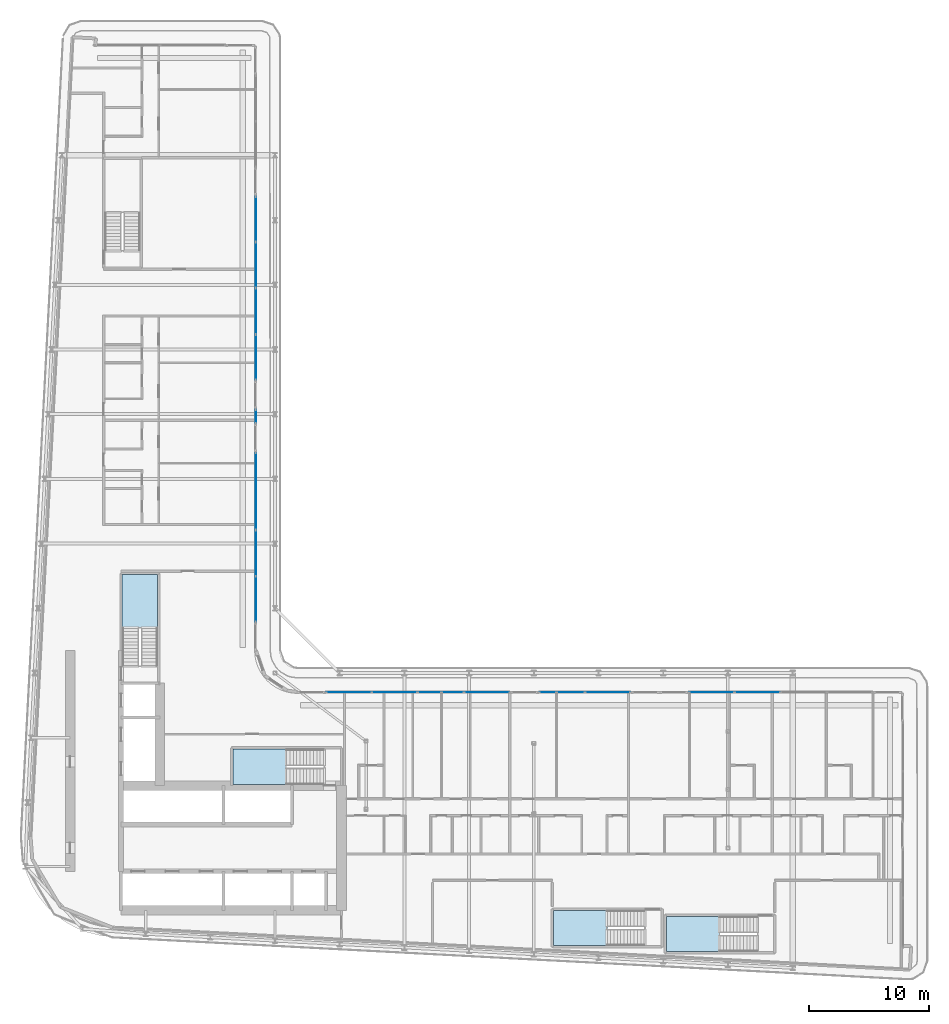
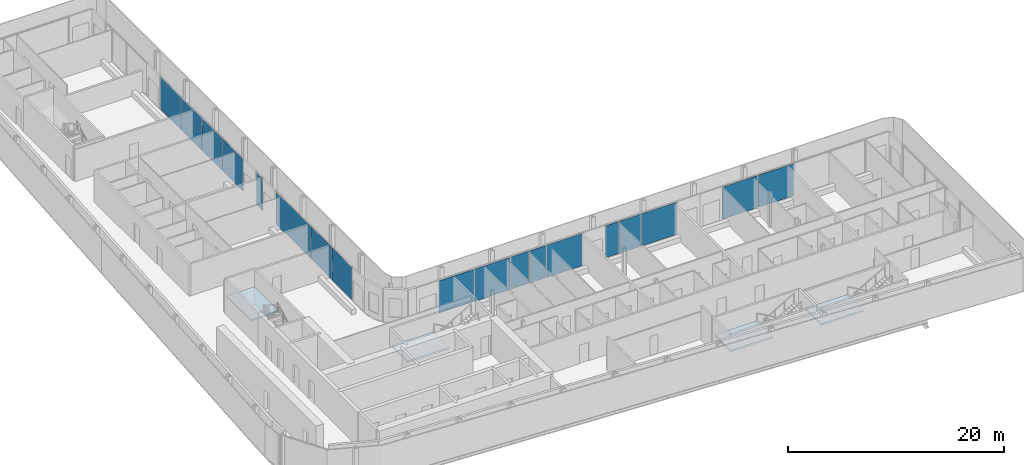
# One storey, part 12 of 30: 18 plates, 4 slabs, 13 elements without a shape of their own.
"""IFC4 building model written with IfcOpenShell, lengths in metres."""

from ifc_helpers import new_model, si_unit, direction, frame, origin, origin_2d, place, context, subcontext, project, spatial, polyline, rectangle, outline, extrude, material, layer, layer_set, type_object, element, aggregate, save


model = new_model("IFC4")

# Units and contexts
model_context = context("Model", 3, precision=1e-05, world=origin(), true_north=direction((0.0, 1.0)))
body_context = subcontext(model_context, "Body", "Model", "MODEL_VIEW")
ifc_project = project(units=[si_unit("LENGTHUNIT", "METRE"), si_unit("AREAUNIT", "SQUARE_METRE"), si_unit("VOLUMEUNIT", "CUBIC_METRE"), si_unit("PLANEANGLEUNIT", "RADIAN"), si_unit("MASSUNIT", "GRAM", prefix="KILO")], contexts=[model_context])

# Site, building, storey
site_placement = place(None, origin())
site = spatial("IfcSite", under=ifc_project, at=site_placement, CompositionType="ELEMENT")
building_placement = place(site_placement, origin())
building = spatial("IfcBuilding", under=site, at=building_placement, Name="Kheshtan School and Residences Tower", CompositionType="ELEMENT")
storey_placement = place(building_placement, frame((0.0, 0.0, 195.5)))
storey = spatial("IfcBuildingStorey", under=building, at=storey_placement, Name="L46", CompositionType="ELEMENT", Elevation=195.5)

# Curtain wall, plates
ifc_material_1 = material(Name="Clear low-e glass in thermally broken aluminium frame", Category="aluminium")
ifc_layer_1 = layer(ifc_material_1, 0.199951171875)
ifc_layer_set_1 = layer_set([ifc_layer_1], Name="Curtain wall CW-L")
curtain_wall_type = type_object("IfcCurtainWallType", Name="Curtain wall CW-L", PredefinedType="NOTDEFINED", material=ifc_layer_set_1)
curtain_wall_1_placement = place(storey_placement, origin())
curtain_wall_1 = element("IfcCurtainWall", 1, at=curtain_wall_1_placement, inside=storey, type_object=curtain_wall_type, Name="Curtain wall CWL8", PredefinedType="NOTDEFINED")
ifc_layer_2 = layer(ifc_material_1, 0.031982421875)
ifc_layer_set_2 = layer_set([ifc_layer_2], Name="CW-L glass panel")
plate_type = type_object("IfcPlateType", Name="CW-L glass panel", PredefinedType="CURTAIN_PANEL", material=ifc_layer_set_2)
plate_1_placement = place(storey_placement, frame((46.0, 83.467529296875, 0.0), z_axis=(0.0, 0.0, 1.0), x_axis=(0.0, -1.0, 0.0)))
plate_1 = element("IfcPlate", 2, at=plate_1_placement, type_object=plate_type, Name="CWL8 panel 1.1", PredefinedType="CURTAIN_PANEL", context=body_context, shape_type="SweptSolid", body=[
    extrude(rectangle(XDim=3.757080078125, YDim=0.031982421875, at=origin_2d()), origin(), (0.0, 0.0, 1.0), 3.6298828125),
])
plate_2_placement = place(storey_placement, frame((46.0, 79.650390625, 0.0), z_axis=(0.0, 0.0, 1.0), x_axis=(0.0, -1.0, 0.0)))
plate_2 = element("IfcPlate", 3, at=plate_2_placement, type_object=plate_type, Name="CWL8 panel 2.1", PredefinedType="CURTAIN_PANEL", context=body_context, shape_type="SweptSolid", body=[
    extrude(rectangle(XDim=3.757080078125, YDim=0.031982421875, at=origin_2d()), origin(), (0.0, 0.0, 1.0), 3.6298828125),
])
aggregate(curtain_wall_1, [plate_1, plate_2])

curtain_wall_2_placement = place(storey_placement, origin())
curtain_wall_2 = element("IfcCurtainWall", 4, at=curtain_wall_2_placement, inside=storey, type_object=curtain_wall_type, Name="Curtain wall CWL8", PredefinedType="NOTDEFINED")
plate_3_placement = place(storey_placement, frame((46.0, 75.803466796875, 0.0), z_axis=(0.0, 0.0, 1.0), x_axis=(0.0, -1.0, 0.0)))
plate_3 = element("IfcPlate", 5, at=plate_3_placement, type_object=plate_type, Name="CWL8 panel 1.1", PredefinedType="CURTAIN_PANEL", context=body_context, shape_type="SweptSolid", body=[
    extrude(rectangle(XDim=3.81689453125, YDim=0.031982421875, at=origin_2d()), origin(), (0.0, 0.0, 1.0), 3.6298828125),
])
plate_4_placement = place(storey_placement, frame((46.0, 71.95654296875, 0.0), z_axis=(0.0, 0.0, 1.0), x_axis=(0.0, -1.0, 0.0)))
plate_4 = element("IfcPlate", 6, at=plate_4_placement, type_object=plate_type, Name="CWL8 panel 2.1", PredefinedType="CURTAIN_PANEL", context=body_context, shape_type="SweptSolid", body=[
    extrude(rectangle(XDim=3.757080078125, YDim=0.031982421875, at=origin_2d()), origin(), (0.0, 0.0, 1.0), 3.6298828125),
])
aggregate(curtain_wall_2, [plate_3, plate_4])

# Curtain wall, plate
curtain_wall_3_placement = place(storey_placement, origin())
curtain_wall_3 = element("IfcCurtainWall", 7, at=curtain_wall_3_placement, inside=storey, type_object=curtain_wall_type, Name="Curtain wall CWL8g", PredefinedType="NOTDEFINED")
plate_5_placement = place(storey_placement, frame((46.0, 67.01806640625, 0.0), z_axis=(0.0, 0.0, 1.0), x_axis=(0.0, -1.0, 0.0)))
plate_5 = element("IfcPlate", 8, at=plate_5_placement, type_object=plate_type, Name="CWL8g panel 1.1", PredefinedType="CURTAIN_PANEL", context=body_context, shape_type="SweptSolid", body=[
    extrude(rectangle(XDim=1.080078125, YDim=0.031982421875, at=origin_2d()), origin(), (0.0, 0.0, 1.0), 3.6298828125),
])
aggregate(curtain_wall_3, [plate_5])

curtain_wall_4_placement = place(storey_placement, origin())
curtain_wall_4 = element("IfcCurtainWall", 9, at=curtain_wall_4_placement, inside=storey, type_object=curtain_wall_type, Name="Curtain wall CWL8h", PredefinedType="NOTDEFINED")
plate_6_placement = place(storey_placement, frame((46.0, 60.77099609375, 0.0), z_axis=(0.0, 0.0, 1.0), x_axis=(0.0, -1.0, 0.0)))
plate_6 = element("IfcPlate", 10, at=plate_6_placement, type_object=plate_type, Name="CWL8h panel 1.1", PredefinedType="CURTAIN_PANEL", context=body_context, shape_type="SweptSolid", body=[
    extrude(rectangle(XDim=6.3740234375, YDim=0.031982421875, at=origin_2d()), origin(), (0.0, 0.0, 1.0), 3.6298828125),
])
aggregate(curtain_wall_4, [plate_6])

# Curtain wall, plates
curtain_wall_5_placement = place(storey_placement, origin())
curtain_wall_5 = element("IfcCurtainWall", 11, at=curtain_wall_5_placement, inside=storey, type_object=curtain_wall_type, Name="Curtain wall CWL8", PredefinedType="NOTDEFINED")
plate_7_placement = place(storey_placement, frame((46.0, 55.615478515625, 0.0), z_axis=(0.0, 0.0, 1.0), x_axis=(0.0, -1.0, 0.0)))
plate_7 = element("IfcPlate", 12, at=plate_7_placement, type_object=plate_type, Name="CWL8 panel 1.1", PredefinedType="CURTAIN_PANEL", context=body_context, shape_type="SweptSolid", body=[
    extrude(rectangle(XDim=3.81689453125, YDim=0.031982421875, at=origin_2d()), origin(), (0.0, 0.0, 1.0), 3.6298828125),
])
plate_8_placement = place(storey_placement, frame((46.0, 51.7685546875, 0.0), z_axis=(0.0, 0.0, 1.0), x_axis=(0.0, -1.0, 0.0)))
plate_8 = element("IfcPlate", 13, at=plate_8_placement, type_object=plate_type, Name="CWL8 panel 2.1", PredefinedType="CURTAIN_PANEL", context=body_context, shape_type="SweptSolid", body=[
    extrude(rectangle(XDim=3.757080078125, YDim=0.031982421875, at=origin_2d()), origin(), (0.0, 0.0, 1.0), 3.6298828125),
])
aggregate(curtain_wall_5, [plate_7, plate_8])

curtain_wall_6_placement = place(storey_placement, origin())
curtain_wall_6 = element("IfcCurtainWall", 14, at=curtain_wall_6_placement, inside=storey, type_object=curtain_wall_type, Name="Curtain wall CWL12j", PredefinedType="NOTDEFINED")
plate_9_placement = place(storey_placement, frame((53.7685546875, 44.0, 0.0), z_axis=(0.0, 0.0, 1.0), x_axis=(1.0, 0.0, 0.0)))
plate_9 = element("IfcPlate", 15, at=plate_9_placement, type_object=plate_type, Name="CWL12j panel 1.1", PredefinedType="CURTAIN_PANEL", context=body_context, shape_type="SweptSolid", body=[
    extrude(rectangle(XDim=3.757080078125, YDim=0.031982421875, at=origin_2d()), origin(), (0.0, 0.0, 1.0), 3.6298828125),
])
plate_10_placement = place(storey_placement, frame((57.58544921875, 44.0, 0.0), z_axis=(0.0, 0.0, 1.0), x_axis=(1.0, 0.0, 0.0)))
plate_10 = element("IfcPlate", 16, at=plate_10_placement, type_object=plate_type, Name="CWL12j panel 2.1", PredefinedType="CURTAIN_PANEL", context=body_context, shape_type="SweptSolid", body=[
    extrude(rectangle(XDim=3.757080078125, YDim=0.031982421875, at=origin_2d()), origin(), (0.0, 0.0, 1.0), 3.6298828125),
])
aggregate(curtain_wall_6, [plate_9, plate_10])

curtain_wall_7_placement = place(storey_placement, origin())
curtain_wall_7 = element("IfcCurtainWall", 17, at=curtain_wall_7_placement, inside=storey, type_object=curtain_wall_type, Name="Curtain wall CWL12k", PredefinedType="NOTDEFINED")
plate_11_placement = place(storey_placement, frame((60.4970703125, 44.0, 0.0), z_axis=(0.0, 0.0, 1.0), x_axis=(1.0, 0.0, 0.0)))
plate_11 = element("IfcPlate", 18, at=plate_11_placement, type_object=plate_type, Name="CWL12k panel 1.1", PredefinedType="CURTAIN_PANEL", context=body_context, shape_type="SweptSolid", body=[
    extrude(rectangle(XDim=1.946044921875, YDim=0.031982421875, at=origin_2d()), origin(), (0.0, 0.0, 1.0), 3.6298828125),
])
plate_12_placement = place(storey_placement, frame((62.435546875, 44.0, 0.0), z_axis=(0.0, 0.0, 1.0), x_axis=(1.0, 0.0, 0.0)))
plate_12 = element("IfcPlate", 19, at=plate_12_placement, type_object=plate_type, Name="CWL12k panel 2.1", PredefinedType="CURTAIN_PANEL", context=body_context, shape_type="SweptSolid", body=[
    extrude(rectangle(XDim=1.81103515625, YDim=0.031982421875, at=origin_2d()), origin(), (0.0, 0.0, 1.0), 3.6298828125),
])
plate_13_placement = place(storey_placement, frame((65.279541015625, 44.0, 0.0), z_axis=(0.0, 0.0, 1.0), x_axis=(1.0, 0.0, 0.0)))
plate_13 = element("IfcPlate", 20, at=plate_13_placement, type_object=plate_type, Name="CWL12k panel 3.1", PredefinedType="CURTAIN_PANEL", context=body_context, shape_type="SweptSolid", body=[
    extrude(rectangle(XDim=3.757080078125, YDim=0.031982421875, at=origin_2d()), origin(), (0.0, 0.0, 1.0), 3.6298828125),
])
aggregate(curtain_wall_7, [plate_11, plate_12, plate_13])

curtain_wall_8_placement = place(storey_placement, origin())
curtain_wall_8 = element("IfcCurtainWall", 21, at=curtain_wall_8_placement, inside=storey, type_object=curtain_wall_type, Name="Curtain wall CWL12k", PredefinedType="NOTDEFINED")
plate_14_placement = place(storey_placement, frame((70.3740234375, 44.0, 0.0), z_axis=(0.0, 0.0, 1.0), x_axis=(1.0, 0.0, 0.0)))
plate_14 = element("IfcPlate", 22, at=plate_14_placement, type_object=plate_type, Name="CWL12k panel 1.1", PredefinedType="CURTAIN_PANEL", context=body_context, shape_type="SweptSolid", body=[
    extrude(rectangle(XDim=1.39208984375, YDim=0.031982421875, at=origin_2d()), origin(), (0.0, 0.0, 1.0), 3.6298828125),
])
plate_15_placement = place(storey_placement, frame((72.282470703125, 44.0, 0.0), z_axis=(0.0, 0.0, 1.0), x_axis=(1.0, 0.0, 0.0)))
plate_15 = element("IfcPlate", 23, at=plate_15_placement, type_object=plate_type, Name="CWL12k panel 2.1", PredefinedType="CURTAIN_PANEL", context=body_context, shape_type="SweptSolid", body=[
    extrude(rectangle(XDim=2.304931640625, YDim=0.031982421875, at=origin_2d()), origin(), (0.0, 0.0, 1.0), 3.6298828125),
])
plate_16_placement = place(storey_placement, frame((75.37353515625, 44.0, 0.0), z_axis=(0.0, 0.0, 1.0), x_axis=(1.0, 0.0, 0.0)))
plate_16 = element("IfcPlate", 24, at=plate_16_placement, type_object=plate_type, Name="CWL12k panel 3.1", PredefinedType="CURTAIN_PANEL", context=body_context, shape_type="SweptSolid", body=[
    extrude(rectangle(XDim=3.757080078125, YDim=0.031982421875, at=origin_2d()), origin(), (0.0, 0.0, 1.0), 3.6298828125),
])
aggregate(curtain_wall_8, [plate_14, plate_15, plate_16])

curtain_wall_9_placement = place(storey_placement, origin())
curtain_wall_9 = element("IfcCurtainWall", 25, at=curtain_wall_9_placement, inside=storey, type_object=curtain_wall_type, Name="Curtain wall CWL12j", PredefinedType="NOTDEFINED")
plate_17_placement = place(storey_placement, frame((84.050537109375, 44.0, 0.0), z_axis=(0.0, 0.0, 1.0), x_axis=(1.0, 0.0, 0.0)))
plate_17 = element("IfcPlate", 26, at=plate_17_placement, type_object=plate_type, Name="CWL12j panel 1.1", PredefinedType="CURTAIN_PANEL", context=body_context, shape_type="SweptSolid", body=[
    extrude(rectangle(XDim=3.757080078125, YDim=0.031982421875, at=origin_2d()), origin(), (0.0, 0.0, 1.0), 3.6298828125),
])
plate_18_placement = place(storey_placement, frame((87.867431640625, 44.0, 0.0), z_axis=(0.0, 0.0, 1.0), x_axis=(1.0, 0.0, 0.0)))
plate_18 = element("IfcPlate", 27, at=plate_18_placement, type_object=plate_type, Name="CWL12j panel 2.1", PredefinedType="CURTAIN_PANEL", context=body_context, shape_type="SweptSolid", body=[
    extrude(rectangle(XDim=3.757080078125, YDim=0.031982421875, at=origin_2d()), origin(), (0.0, 0.0, 1.0), 3.6298828125),
])
aggregate(curtain_wall_9, [plate_17, plate_18])

# Stair, slab
ifc_material_2 = material(Name="Concrete C40/50", Category="concrete")
stair_type = type_object("IfcStairType", Name="Exit stair, half-turn", PredefinedType="HALF_TURN_STAIR", material=ifc_material_2)
stair_1_placement = place(storey_placement, origin())
stair_1 = element("IfcStair", 28, at=stair_1_placement, inside=storey, type_object=stair_type, Name="L46 Protected Exit Stair ST1", PredefinedType="HALF_TURN_STAIR")
ifc_layer_3 = layer(ifc_material_2, 0.199951171875)
ifc_layer_set_3 = layer_set([ifc_layer_3], Name="Stair landing 200 Concrete C40/50")
slab_type = type_object("IfcSlabType", Name="Stair landing 200 Concrete C40/50", PredefinedType="LANDING", material=ifc_layer_set_3)
slab_1_placement = place(storey_placement, frame((0.0, 0.0, 1.75)))
slab_1 = element("IfcSlab", 29, at=slab_1_placement, type_object=slab_type, Name="ST1 landing 1", PredefinedType="LANDING", context=body_context, shape_type="SweptSolid", body=[
    extrude(outline(polyline([(48.570068359375, 39.25), (44.090087890625, 39.25), (44.090087890625, 36.300048828125), (48.570068359375, 36.300048828125), (48.570068359375, 39.25)])), origin(), (0.0, 0.0, 1.0), 0.199951171875),
])
aggregate(stair_1, [slab_1])

stair_2_placement = place(storey_placement, origin())
stair_2 = element("IfcStair", 30, at=stair_2_placement, inside=storey, type_object=stair_type, Name="L46 Protected Exit Stair ST2", PredefinedType="HALF_TURN_STAIR")
slab_2_placement = place(storey_placement, frame((0.0, 0.0, 1.75)))
slab_2 = element("IfcSlab", 31, at=slab_2_placement, type_object=slab_type, Name="ST2 landing 1", PredefinedType="LANDING", context=body_context, shape_type="SweptSolid", body=[
    extrude(outline(polyline([(37.800048828125, 49.330078125), (37.800048828125, 53.81005859375), (34.85009765625, 53.81005859375), (34.85009765625, 49.330078125), (37.800048828125, 49.330078125)])), origin(), (0.0, 0.0, 1.0), 0.199951171875),
])
aggregate(stair_2, [slab_2])

stair_3_placement = place(storey_placement, origin())
stair_3 = element("IfcStair", 32, at=stair_3_placement, inside=storey, type_object=stair_type, Name="L46 Protected Exit Stair ST4", PredefinedType="HALF_TURN_STAIR")
slab_3_placement = place(storey_placement, frame((0.0, 0.0, 1.75)))
slab_3 = element("IfcSlab", 33, at=slab_3_placement, type_object=slab_type, Name="ST4 landing 1", PredefinedType="LANDING", context=body_context, shape_type="SweptSolid", body=[
    extrude(outline(polyline([(84.739990234375, 25.300048828125), (80.260009765625, 25.300048828125), (80.260009765625, 22.35009765625), (84.739990234375, 22.35009765625), (84.739990234375, 25.300048828125)])), origin(), (0.0, 0.0, 1.0), 0.199951171875),
])
aggregate(stair_3, [slab_3])

stair_4_placement = place(storey_placement, origin())
stair_4 = element("IfcStair", 34, at=stair_4_placement, inside=storey, type_object=stair_type, Name="L46 Protected Exit Stair ST5", PredefinedType="HALF_TURN_STAIR")
slab_4_placement = place(storey_placement, frame((0.0, 0.0, 1.75)))
slab_4 = element("IfcSlab", 35, at=slab_4_placement, type_object=slab_type, Name="ST5 landing 1", PredefinedType="LANDING", context=body_context, shape_type="SweptSolid", body=[
    extrude(outline(polyline([(75.330078125, 25.800048828125), (70.85009765625, 25.800048828125), (70.85009765625, 22.85009765625), (75.330078125, 22.85009765625), (75.330078125, 25.800048828125)])), origin(), (0.0, 0.0, 1.0), 0.199951171875),
])
aggregate(stair_4, [slab_4])

save(model, "model.ifc")
